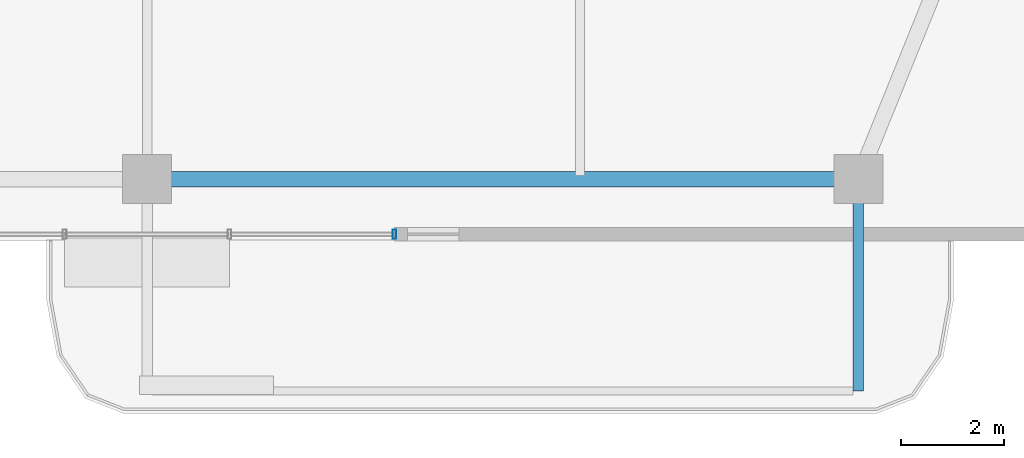
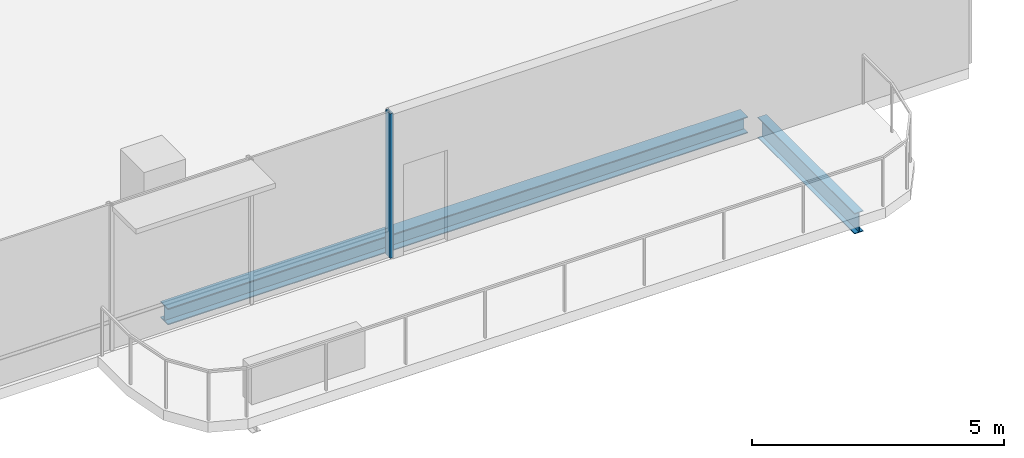
# One storey, part 8 of 25: 2 beams, 1 member, 1 element without a shape of its own.
"""IFC4 building model written with IfcOpenShell, lengths in metres."""

from ifc_helpers import new_model, si_unit, direction, frame, origin, origin_2d, place, context, subcontext, project, spatial, hollow_rectangle, i_section, extrude, material, layer, layer_set, material_profile, profile_set, type_object, element, aggregate, save


model = new_model("IFC4")

# Units and contexts
model_context = context("Model", 3, precision=1e-05, world=origin(), true_north=direction((0.0, 1.0)))
body_context = subcontext(model_context, "Body", "Model", "MODEL_VIEW")
ifc_project = project(units=[si_unit("LENGTHUNIT", "METRE"), si_unit("AREAUNIT", "SQUARE_METRE"), si_unit("VOLUMEUNIT", "CUBIC_METRE"), si_unit("PLANEANGLEUNIT", "RADIAN"), si_unit("MASSUNIT", "GRAM", prefix="KILO")], contexts=[model_context])

# Site, building, storey
site_placement = place(None, origin())
site = spatial("IfcSite", under=ifc_project, at=site_placement, CompositionType="ELEMENT")
building_placement = place(site_placement, origin())
building = spatial("IfcBuilding", under=site, at=building_placement, Name="Belovzor Exchange Tower", CompositionType="ELEMENT")
storey_placement = place(building_placement, frame((0.0, 0.0, 269.10009765625)))
storey = spatial("IfcBuildingStorey", under=building, at=storey_placement, Name="L67", CompositionType="ELEMENT", Elevation=269.10009765625)

# Beam
ifc_material_1 = material(Name="Steel S355", Category="steel")
ifc_material_profile_1 = material_profile(ifc_material_1, i_section(OverallWidth=0.199951171875, OverallDepth=0.5, WebThickness=0.01025390625, FlangeThickness=0.01611328125, at=origin_2d()))
ifc_profile_set_1 = profile_set([ifc_material_profile_1], Name="Steel S355")
beam_type_1 = type_object("IfcBeamType", Name="Planted Balcony Cantilever Beam IPE 500", PredefinedType="BEAM", material=ifc_profile_set_1)
beam_1_placement = place(storey_placement, frame((42.60009765625, 4.839111328125, -0.5), z_axis=(0.0, -1.0, 0.0), x_axis=(1.0, 0.0, 0.0)))
element("IfcBeam", 1, at=beam_1_placement, inside=storey, type_object=beam_type_1, Name="BC-500 Planted Balcony Cantilever Beam IPE 500", PredefinedType="BEAM", context=body_context, shape_type="SweptSolid", body=[
    extrude(i_section(OverallWidth=0.199951171875, OverallDepth=0.5, WebThickness=0.01025390625, FlangeThickness=0.01611328125, at=origin_2d()), origin(), (0.0, 0.0, 1.0), 3.85009765625),
])

# Curtain wall, member
ifc_material_2 = material(Name="Anodised Aluminium Framing", Category="aluminium")
ifc_layer = layer(ifc_material_2, 0.179931640625)
ifc_layer_set = layer_set([ifc_layer], Name="Anodised Aluminium Framing")
curtain_wall_type = type_object("IfcCurtainWallType", Name="Recessed Loggia Low-Iron Triple-Glazed Curtain Wall", PredefinedType="NOTDEFINED", material=ifc_layer_set)
curtain_wall_placement = place(storey_placement, origin())
curtain_wall = element("IfcCurtainWall", 2, at=curtain_wall_placement, inside=storey, type_object=curtain_wall_type, Name="CW3 Recessed Loggia Low-Iron Triple-Glazed Curtain Wall L67", PredefinedType="NOTDEFINED")
ifc_material_3 = material(Name="Steel S355", Category="steel")
ifc_material_profile_2 = material_profile(ifc_material_3, hollow_rectangle(XDim=0.074951171875, YDim=0.179931640625, WallThickness=0.0048828125, at=origin_2d()))
ifc_profile_set_2 = profile_set([ifc_material_profile_2], Name="Steel S355")
member_type = type_object("IfcMemberType", Name="Thermally Broken Curtain Wall Mullion 180x75", PredefinedType="MULLION", material=ifc_profile_set_2)
member_placement = place(storey_placement, frame((33.60009765625, 4.030029296875, 0.0), z_axis=(0.0, 0.0, 1.0), x_axis=(-1.0, 0.0, 0.0)))
member = element("IfcMember", 3, at=member_placement, type_object=member_type, Name="CW-M180 Curtain Wall Mullion 1", PredefinedType="MULLION", context=body_context, shape_type="SweptSolid", body=[
    extrude(hollow_rectangle(XDim=0.074951171875, YDim=0.179931640625, WallThickness=0.0048828125, at=origin_2d()), origin(), (0.0, 0.0, 1.0), 3.5),
])
aggregate(curtain_wall, [member])

# Beam
ifc_material_4 = material(Name="Steel S355", Category="steel")
ifc_material_profile_3 = material_profile(ifc_material_4, i_section(OverallWidth=0.300048828125, OverallDepth=0.39990234375, WebThickness=0.013427734375, FlangeThickness=0.02392578125, at=origin_2d()))
ifc_profile_set_3 = profile_set([ifc_material_profile_3], Name="Steel S355")
beam_type_2 = type_object("IfcBeamType", Name="Zone 5 Primary Girder HEB 400", PredefinedType="BEAM", material=ifc_profile_set_3)
beam_2_placement = place(storey_placement, frame((29.06103515625, 5.10009765625, -0.4501953125), z_axis=(1.0, 0.0, 0.0), x_axis=(0.0, 1.0, 0.0)))
element("IfcBeam", 4, at=beam_2_placement, inside=storey, type_object=beam_type_2, Name="FG-Z5 Zone 5 Primary Girder HEB 400", PredefinedType="BEAM", context=body_context, shape_type="SweptSolid", body=[
    extrude(i_section(OverallWidth=0.300048828125, OverallDepth=0.39990234375, WebThickness=0.013427734375, FlangeThickness=0.02392578125, at=origin_2d()), origin(), (0.0, 0.0, 1.0), 13.278076171875),
])

save(model, "model.ifc")
